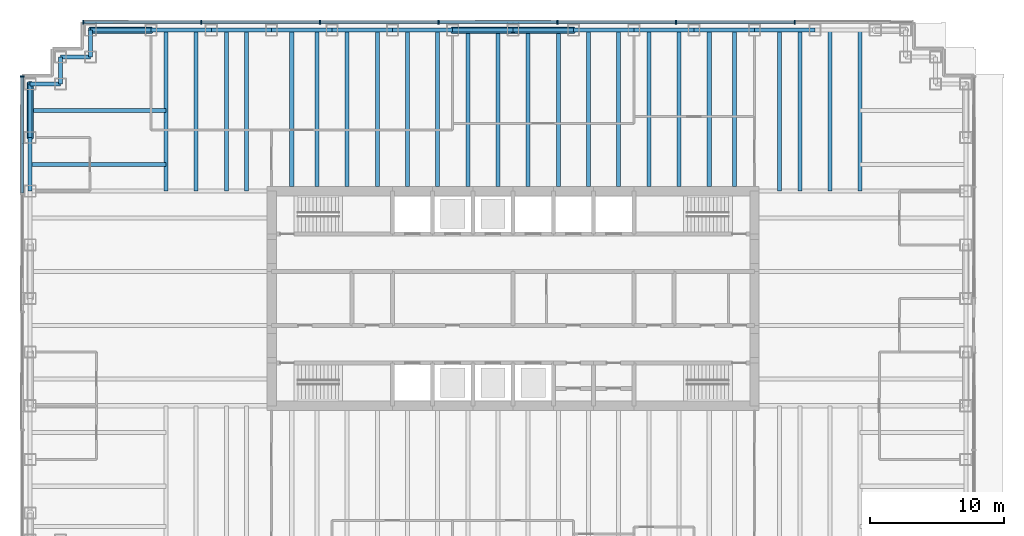
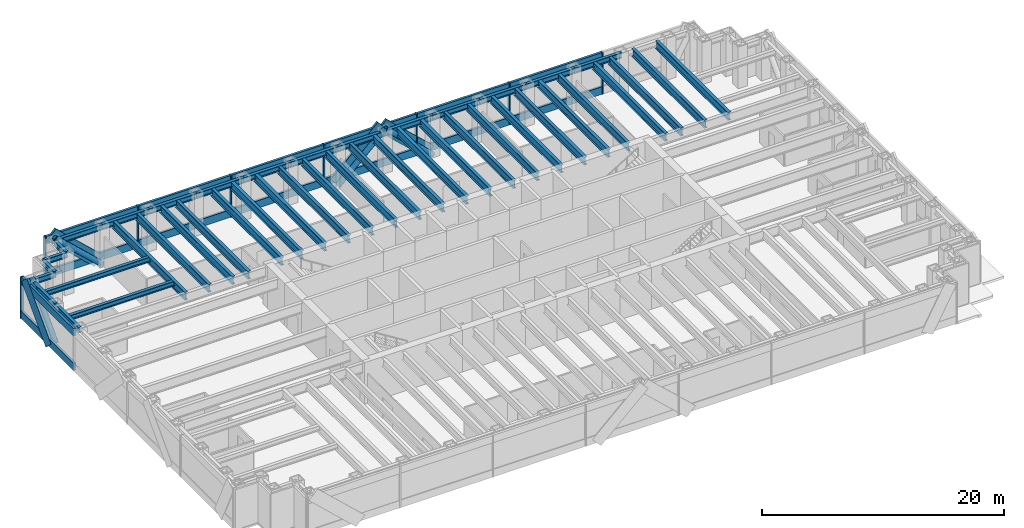
# One storey, part 4 of 12: 44 beams, 30 members, 2 elements without a shape of their own.
"""IFC4 building model written with IfcOpenShell, lengths in metres."""

import ifcopenshell
import ifcopenshell.guid

model = None  # the IFC model being written
_history = None  # IfcOwnerHistory: only IFC2X3 demands one
_inside = {}  # id of a spatial element -> (the spatial element, [elements in it])
_under = {}  # id of a project, library or spatial element -> (it, [spatial elements below it])
_declared = {}  # id of a project -> (the project, [libraries it declares])
_typed = {}  # id of a type object -> (the type object, [elements of that type])
_made_of = {}  # id of a material, layer set ... -> (it, [elements and type objects made of it])


def new_model(schema):
    """Start an empty IFC model of exactly this schema.

    Asked for "IFC4X3", IfcOpenShell would pick the latest addendum, in which some entities
    have other attributes; the version numbers below select the first issue.
    IFC2X3 requires an IfcOwnerHistory on every rooted entity: one is made here for all.
    """
    global model, _history
    if schema == "IFC4X3":
        model = ifcopenshell.file(schema_version=(4, 3, 0, 0))
    else:
        model = ifcopenshell.file(schema=schema)
    _inside.clear()
    _under.clear()
    _declared.clear()
    _typed.clear()
    _made_of.clear()
    _history = None
    if model.schema == "IFC2X3":
        org = make("IfcOrganization", Name="unknown")
        user = make(
            "IfcPersonAndOrganization",
            ThePerson=make("IfcPerson", FamilyName="unknown"),
            TheOrganization=org,
        )
        app = make(
            "IfcApplication",
            ApplicationDeveloper=org,
            Version="unknown",
            ApplicationFullName="unknown",
            ApplicationIdentifier="unknown",
        )
        _history = make(
            "IfcOwnerHistory",
            OwningUser=user,
            OwningApplication=app,
            ChangeAction="ADDED",
            CreationDate=0,
        )
    return model


def make(cls, **values):
    """One entity of the class cls with the attributes given. An attribute that is None is left unset."""
    return model.create_entity(
        cls, **{name: value for name, value in values.items() if value is not None}
    )


def rooted(cls, **values):
    """An entity with a GlobalId (a new one), such as an element, a storey or a relation."""
    return make(cls, GlobalId=ifcopenshell.guid.new(), OwnerHistory=_history, **values)


def si_unit(unit_type, name, prefix=None):
    """IfcSIUnit, for example si_unit("LENGTHUNIT", "METRE", prefix="MILLI")."""
    return make("IfcSIUnit", UnitType=unit_type, Prefix=prefix, Name=name)


def assignment(units):
    """IfcUnitAssignment: the units of a project."""
    return None if units is None else make("IfcUnitAssignment", Units=units)


def point(xyz):
    """IfcCartesianPoint."""
    return None if xyz is None else make("IfcCartesianPoint", Coordinates=xyz)


def direction(xyz):
    """IfcDirection."""
    return None if xyz is None else make("IfcDirection", DirectionRatios=xyz)


def frame(location, z_axis=None, x_axis=None):
    """IfcAxis2Placement3D, a coordinate frame: its origin and axes. An axis left out is left unset."""
    return make(
        "IfcAxis2Placement3D",
        Location=point(location),
        Axis=direction(z_axis),
        RefDirection=direction(x_axis),
    )


def frame_2d(location, x_axis=None):
    """IfcAxis2Placement2D, a coordinate frame in the plane: its origin and x axis."""
    return make(
        "IfcAxis2Placement2D", Location=point(location), RefDirection=direction(x_axis)
    )


def origin():
    """The frame at (0, 0, 0) with its axes left unset."""
    return frame((0.0, 0.0, 0.0))


def origin_2d():
    """The frame at (0, 0) in the plane with its x axis left unset."""
    return frame_2d((0.0, 0.0))


def place(relative_to, where):
    """IfcLocalPlacement: puts the frame where relative to a parent placement (None: the world)."""
    return make(
        "IfcLocalPlacement", PlacementRelTo=relative_to, RelativePlacement=where
    )


def context(
    kind, dimensions, precision=None, world=None, true_north=None, identifier=None
):
    """IfcGeometricRepresentationContext, for example the 3D "Model" context."""
    return make(
        "IfcGeometricRepresentationContext",
        ContextIdentifier=identifier,
        ContextType=kind,
        CoordinateSpaceDimension=dimensions,
        Precision=precision,
        WorldCoordinateSystem=world,
        TrueNorth=true_north,
    )


def subcontext(parent, identifier, kind, view, scale=None):
    """IfcGeometricRepresentationSubContext, for example "Body" below "Model"."""
    return make(
        "IfcGeometricRepresentationSubContext",
        ContextIdentifier=identifier,
        ContextType=kind,
        ParentContext=parent,
        TargetScale=scale,
        TargetView=view,
    )


def project(units=None, contexts=None):
    """IfcProject with its units and contexts."""
    return rooted(
        "IfcProject",
        Name="project",
        RepresentationContexts=contexts,
        UnitsInContext=assignment(units),
    )


def spatial(cls, under=None, at=None, **own):
    """A site, building, storey or space (cls), placed at a placement, below another one or the project."""
    s = rooted(cls, ObjectPlacement=at, **own)
    if under is not None:
        _under.setdefault(under.id(), (under, []))[1].append(s)
    return s


def profile(cls, at=None, kind="AREA", **sizes):
    """A parametric profile (cls). Its sizes go by their IFC names, for example OverallWidth=200.0."""
    return make(cls, ProfileType=kind, Position=at, **sizes)


def rectangle(**sizes):
    """IfcRectangleProfileDef."""
    return profile("IfcRectangleProfileDef", **sizes)


def hollow_circle(**sizes):
    """IfcCircleHollowProfileDef."""
    return profile("IfcCircleHollowProfileDef", **sizes)


def i_section(**sizes):
    """IfcIShapeProfileDef."""
    return profile("IfcIShapeProfileDef", **sizes)


def extrude(swept, where, along, depth):
    """IfcExtrudedAreaSolid: the profile swept, set in the frame where, extruded along a direction by depth."""
    return make(
        "IfcExtrudedAreaSolid",
        SweptArea=swept,
        Position=where,
        ExtrudedDirection=direction(along),
        Depth=depth,
    )


def shape(context_of_items, identifier, shape_type, items):
    """IfcShapeRepresentation: the items that make up one representation, for example the "Body"."""
    return make(
        "IfcShapeRepresentation",
        ContextOfItems=context_of_items,
        RepresentationIdentifier=identifier,
        RepresentationType=shape_type,
        Items=items,
    )


def material(Name=None, Category=None):
    """IfcMaterial."""
    return make("IfcMaterial", Name=Name, Category=Category)


def material_profile(
    of_material, cross_section, Name=None, Category=None, Priority=None
):
    """IfcMaterialProfile: a cross section and its material."""
    return make(
        "IfcMaterialProfile",
        Name=Name,
        Material=of_material,
        Profile=cross_section,
        Priority=Priority,
        Category=Category,
    )


def profile_set(profiles, Name=None, composite=None):
    """IfcMaterialProfileSet."""
    return make(
        "IfcMaterialProfileSet",
        Name=Name,
        MaterialProfiles=profiles,
        CompositeProfile=composite,
    )


def made_of(thing, what):
    """Note that an element or type object is made of a material, layer set ...; save() writes the relation."""
    if what is not None:
        _made_of.setdefault(what.id(), (what, []))[1].append(thing)
    return thing


def type_object(cls, material=None, **own):
    """A type object (cls), such as IfcWallType, which elements share."""
    return made_of(rooted(cls, **own), material)


def element(
    cls,
    number,
    at=None,
    inside=None,
    cuts=None,
    type_object=None,
    material=None,
    context=None,
    identifier="Body",
    shape_type=None,
    held_by="IfcProductDefinitionShape",
    body=None,
    shapes=None,
    **own,
):
    """One element of the class cls, such as IfcWall. Its Tag is "e" and its number.

    at: its placement. inside: the storey or other place that contains it. cuts: it is an
    opening in that element (IfcRelVoidsElement). A single representation is given by context,
    identifier, shape_type and body (its items); several are given by shapes. held_by: the class
    of the entity that holds the representations. save() writes the other relations.
    """
    e = rooted(cls, Tag="e%d" % number, ObjectPlacement=at, **own)
    if body is not None:
        shapes = [shape(context, identifier, shape_type, body)]
    if shapes is not None:
        e.Representation = make(held_by, Representations=shapes)
    if inside is not None:
        _inside.setdefault(inside.id(), (inside, []))[1].append(e)
    if cuts is not None:
        rooted(
            "IfcRelVoidsElement", RelatingBuildingElement=cuts, RelatedOpeningElement=e
        )
    if type_object is not None:
        _typed.setdefault(type_object.id(), (type_object, []))[1].append(e)
    return made_of(e, material)


def aggregate(whole, parts):
    """IfcRelAggregates: a whole, such as a stair, and the parts it consists of."""
    return rooted("IfcRelAggregates", RelatingObject=whole, RelatedObjects=parts)


def save(model, path):
    """Write the relations noted so far, then the file.

    IfcRelAggregates (storeys below a building ...), IfcRelContainedInSpatialStructure (elements
    in a storey), IfcRelDefinesByType, IfcRelAssociatesMaterial and IfcRelDeclares: one each for
    every whole, place, type object, material and project.
    """
    for whole, parts in _under.values():
        aggregate(whole, parts)
    for where, things in _inside.values():
        rooted(
            "IfcRelContainedInSpatialStructure",
            RelatedElements=things,
            RelatingStructure=where,
        )
    for kind, things in _typed.values():
        rooted("IfcRelDefinesByType", RelatedObjects=things, RelatingType=kind)
    for what, things in _made_of.values():
        rooted("IfcRelAssociatesMaterial", RelatedObjects=things, RelatingMaterial=what)
    for by, libraries in _declared.values():
        rooted("IfcRelDeclares", RelatingContext=by, RelatedDefinitions=libraries)
    model.write(path)


model = new_model("IFC4")

# Units and contexts
model_context = context("Model", 3, precision=1e-05, world=origin(), true_north=direction((0.0, 1.0)))
body_context = subcontext(model_context, "Body", "Model", "MODEL_VIEW")
ifc_project = project(units=[si_unit("LENGTHUNIT", "METRE"), si_unit("AREAUNIT", "SQUARE_METRE"), si_unit("VOLUMEUNIT", "CUBIC_METRE"), si_unit("PLANEANGLEUNIT", "RADIAN"), si_unit("MASSUNIT", "GRAM", prefix="KILO")], contexts=[model_context])

# Site, building, storey
site_placement = place(None, origin())
site = spatial("IfcSite", under=ifc_project, at=site_placement, CompositionType="ELEMENT")
building_placement = place(site_placement, origin())
building = spatial("IfcBuilding", under=site, at=building_placement, Name="Rheinbord Bourse Tower", CompositionType="ELEMENT")
storey_placement = place(building_placement, frame((0.0, 0.0, 271.10009765625)))
storey = spatial("IfcBuildingStorey", under=building, at=storey_placement, Name="L61", CompositionType="ELEMENT", Elevation=271.10009765625)

# Curtain wall, members
ifc_material_1 = material(Name="Dark glass and black aluminium", Category="aluminium")
curtain_wall_type = type_object("IfcCurtainWallType", Name="CW6 DARK GLASS CURTAIN WALL", PredefinedType="USERDEFINED", material=ifc_material_1)
curtain_wall_1_placement = place(storey_placement, origin())
curtain_wall_1 = element("IfcCurtainWall", 1, at=curtain_wall_1_placement, inside=storey, type_object=curtain_wall_type, Name="Curtain wall CW6 N L61", ObjectType="UNITISED CURTAIN WALL", PredefinedType="USERDEFINED")
ifc_material_2 = material(Name="Black anodised aluminium", Category="aluminium")
ifc_material_profile_1 = material_profile(ifc_material_2, rectangle(XDim=0.219970703125, YDim=1.2099609375, at=origin_2d()), Name="CW6 DIAGONAL MULLION 1210x220")
ifc_profile_set_1 = profile_set([ifc_material_profile_1], Name="Black anodised aluminium")
member_type_1 = type_object("IfcMemberType", Name="CW6 BLACK DIAGONAL MULLION", PredefinedType="USERDEFINED", material=ifc_profile_set_1)
member_1_placement = place(storey_placement, frame((31.5, 44.60009765625, 0.0), z_axis=(0.73105922506, 0.0, 0.682314010889), x_axis=(0.0, 1.0, 0.0)))
member_1 = element("IfcMember", 2, at=member_1_placement, type_object=member_type_1, Name="CW6 diagonal mullion a", ObjectType="DIAGONAL MULLION", PredefinedType="USERDEFINED", context=body_context, shape_type="SweptSolid", body=[
    extrude(rectangle(XDim=0.219970703125, YDim=1.2099609375, at=origin_2d()), origin(), (0.0, 0.0, 1.0), 6.155517578125),
])
member_2_placement = place(storey_placement, frame((40.5, 44.60009765625, 0.0), z_axis=(-0.73105922506, 0.0, 0.682314010889), x_axis=(0.0, -1.0, 0.0)))
member_2 = element("IfcMember", 3, at=member_2_placement, type_object=member_type_1, Name="CW6 diagonal mullion b", ObjectType="DIAGONAL MULLION", PredefinedType="USERDEFINED", context=body_context, shape_type="SweptSolid", body=[
    extrude(rectangle(XDim=0.219970703125, YDim=1.2099609375, at=origin_2d()), origin(), (0.0, 0.0, 1.0), 6.155517578125),
])
member_3_placement = place(storey_placement, frame((9.0, 44.60009765625, 0.0), z_axis=(-0.73105922506, 0.0, 0.682314010889), x_axis=(0.0, -1.0, 0.0)))
member_3 = element("IfcMember", 4, at=member_3_placement, type_object=member_type_1, Name="CW6 diagonal mullion d", ObjectType="DIAGONAL MULLION", PredefinedType="USERDEFINED", context=body_context, shape_type="SweptSolid", body=[
    extrude(rectangle(XDim=0.219970703125, YDim=1.2099609375, at=origin_2d()), origin(), (0.0, 0.0, 1.0), 6.155517578125),
])

# Curtain wall, member
curtain_wall_2_placement = place(storey_placement, origin())
curtain_wall_2 = element("IfcCurtainWall", 5, at=curtain_wall_2_placement, inside=storey, type_object=curtain_wall_type, Name="Curtain wall CW6 W L61", ObjectType="UNITISED CURTAIN WALL", PredefinedType="USERDEFINED")
member_4_placement = place(storey_placement, frame((-0.60009765625, 36.0, 0.0), z_axis=(0.0, 0.689659376744, 0.724133926887), x_axis=(-1.0, 0.0, 0.0)))
member_4 = element("IfcMember", 6, at=member_4_placement, type_object=member_type_1, Name="CW6 diagonal mullion a", ObjectType="DIAGONAL MULLION", PredefinedType="USERDEFINED", context=body_context, shape_type="SweptSolid", body=[
    extrude(rectangle(XDim=0.219970703125, YDim=1.2099609375, at=origin_2d()), origin(), (0.0, 0.0, 1.0), 5.800048828125),
])

# Member
ifc_material_3 = material(Name="Black anodised aluminium", Category="aluminium")
ifc_material_profile_2 = material_profile(ifc_material_3, rectangle(XDim=0.320068359375, YDim=0.10009765625, at=origin_2d()), Name="CW6 MULLION 100x320")
ifc_profile_set_2 = profile_set([ifc_material_profile_2], Name="Black anodised aluminium")
member_type_2 = type_object("IfcMemberType", Name="CW6 BLACK MULLION", PredefinedType="MULLION", material=ifc_profile_set_2)
member_5_placement = place(storey_placement, frame((57.0, 44.60009765625, 0.0), z_axis=(0.0, 0.0, 1.0), x_axis=(0.0, -1.0, 0.0)))
member_5 = element("IfcMember", 7, at=member_5_placement, type_object=member_type_2, Name="CW6 mullion 2", PredefinedType="MULLION", context=body_context, shape_type="SweptSolid", body=[
    extrude(rectangle(XDim=0.320068359375, YDim=0.10009765625, at=origin_2d()), origin(), (0.0, 0.0, 1.0), 4.199951171875),
])

member_6_placement = place(storey_placement, frame((48.14990234375, 44.60009765625, 0.0), z_axis=(0.0, 0.0, 1.0), x_axis=(0.0, -1.0, 0.0)))
member_6 = element("IfcMember", 8, at=member_6_placement, type_object=member_type_2, Name="CW6 mullion 3", PredefinedType="MULLION", context=body_context, shape_type="SweptSolid", body=[
    extrude(rectangle(XDim=0.320068359375, YDim=0.10009765625, at=origin_2d()), origin(), (0.0, 0.0, 1.0), 4.199951171875),
])

member_7_placement = place(storey_placement, frame((39.300048828125, 44.60009765625, 0.0), z_axis=(0.0, 0.0, 1.0), x_axis=(0.0, -1.0, 0.0)))
member_7 = element("IfcMember", 9, at=member_7_placement, type_object=member_type_2, Name="CW6 mullion 4", PredefinedType="MULLION", context=body_context, shape_type="SweptSolid", body=[
    extrude(rectangle(XDim=0.320068359375, YDim=0.10009765625, at=origin_2d()), origin(), (0.0, 0.0, 1.0), 4.199951171875),
])

member_8_placement = place(storey_placement, frame((30.449951171875, 44.60009765625, 0.0), z_axis=(0.0, 0.0, 1.0), x_axis=(0.0, -1.0, 0.0)))
member_8 = element("IfcMember", 10, at=member_8_placement, type_object=member_type_2, Name="CW6 mullion 5", PredefinedType="MULLION", context=body_context, shape_type="SweptSolid", body=[
    extrude(rectangle(XDim=0.320068359375, YDim=0.10009765625, at=origin_2d()), origin(), (0.0, 0.0, 1.0), 4.199951171875),
])

member_9_placement = place(storey_placement, frame((21.60009765625, 44.60009765625, 0.0), z_axis=(0.0, 0.0, 1.0), x_axis=(0.0, -1.0, 0.0)))
member_9 = element("IfcMember", 11, at=member_9_placement, type_object=member_type_2, Name="CW6 mullion 6", PredefinedType="MULLION", context=body_context, shape_type="SweptSolid", body=[
    extrude(rectangle(XDim=0.320068359375, YDim=0.10009765625, at=origin_2d()), origin(), (0.0, 0.0, 1.0), 4.199951171875),
])

member_10_placement = place(storey_placement, frame((12.75, 44.60009765625, 0.0), z_axis=(0.0, 0.0, 1.0), x_axis=(0.0, -1.0, 0.0)))
member_10 = element("IfcMember", 12, at=member_10_placement, type_object=member_type_2, Name="CW6 mullion 7", PredefinedType="MULLION", context=body_context, shape_type="SweptSolid", body=[
    extrude(rectangle(XDim=0.320068359375, YDim=0.10009765625, at=origin_2d()), origin(), (0.0, 0.0, 1.0), 4.199951171875),
])

member_11_placement = place(storey_placement, frame((3.949951171875, 44.60009765625, 0.0), z_axis=(0.0, 0.0, 1.0), x_axis=(0.0, -1.0, 0.0)))
member_11 = element("IfcMember", 13, at=member_11_placement, type_object=member_type_2, Name="CW6 mullion 8", PredefinedType="MULLION", context=body_context, shape_type="SweptSolid", body=[
    extrude(rectangle(XDim=0.320068359375, YDim=0.10009765625, at=origin_2d()), origin(), (0.0, 0.0, 1.0), 4.199951171875),
])

member_12_placement = place(storey_placement, frame((-0.60009765625, 40.550048828125, 0.0), z_axis=(0.0, 0.0, 1.0), x_axis=(1.0, 0.0, 0.0)))
member_12 = element("IfcMember", 14, at=member_12_placement, type_object=member_type_2, Name="CW6 mullion 1", PredefinedType="MULLION", context=body_context, shape_type="SweptSolid", body=[
    extrude(rectangle(XDim=0.320068359375, YDim=0.10009765625, at=origin_2d()), origin(), (0.0, 0.0, 1.0), 4.199951171875),
])

ifc_material_4 = material(Name="Black anodised aluminium", Category="aluminium")
ifc_material_profile_3 = material_profile(ifc_material_4, rectangle(XDim=0.219970703125, YDim=0.75, at=origin_2d()), Name="CW6 TRANSOM 750x220")
ifc_profile_set_3 = profile_set([ifc_material_profile_3], Name="Black anodised aluminium")
member_type_3 = type_object("IfcMemberType", Name="CW6 BLACK TRANSOM", PredefinedType="USERDEFINED", material=ifc_profile_set_3)
member_13_placement = place(storey_placement, frame((56.949951171875, 44.60009765625, 0.375), z_axis=(-1.0, 0.0, 0.0), x_axis=(0.0, -1.0, 0.0)))
member_13 = element("IfcMember", 15, at=member_13_placement, type_object=member_type_3, Name="CW6 transom 2.1", ObjectType="TRANSOM", PredefinedType="USERDEFINED", context=body_context, shape_type="SweptSolid", body=[
    extrude(rectangle(XDim=0.219970703125, YDim=0.75, at=origin_2d()), origin(), (0.0, 0.0, 1.0), 8.75),
])

member_14_placement = place(storey_placement, frame((56.949951171875, 44.60009765625, 3.824951171875), z_axis=(-1.0, 0.0, 0.0), x_axis=(0.0, -1.0, 0.0)))
member_14 = element("IfcMember", 16, at=member_14_placement, type_object=member_type_3, Name="CW6 transom 2.2", ObjectType="TRANSOM", PredefinedType="USERDEFINED", context=body_context, shape_type="SweptSolid", body=[
    extrude(rectangle(XDim=0.219970703125, YDim=0.75, at=origin_2d()), origin(), (0.0, 0.0, 1.0), 8.75),
])

member_15_placement = place(storey_placement, frame((48.10009765625, 44.60009765625, 0.375), z_axis=(-1.0, 0.0, 0.0), x_axis=(0.0, -1.0, 0.0)))
member_15 = element("IfcMember", 17, at=member_15_placement, type_object=member_type_3, Name="CW6 transom 3.1", ObjectType="TRANSOM", PredefinedType="USERDEFINED", context=body_context, shape_type="SweptSolid", body=[
    extrude(rectangle(XDim=0.219970703125, YDim=0.75, at=origin_2d()), origin(), (0.0, 0.0, 1.0), 8.75),
])

member_16_placement = place(storey_placement, frame((48.10009765625, 44.60009765625, 3.824951171875), z_axis=(-1.0, 0.0, 0.0), x_axis=(0.0, -1.0, 0.0)))
member_16 = element("IfcMember", 18, at=member_16_placement, type_object=member_type_3, Name="CW6 transom 3.2", ObjectType="TRANSOM", PredefinedType="USERDEFINED", context=body_context, shape_type="SweptSolid", body=[
    extrude(rectangle(XDim=0.219970703125, YDim=0.75, at=origin_2d()), origin(), (0.0, 0.0, 1.0), 8.75),
])

member_17_placement = place(storey_placement, frame((39.25, 44.60009765625, 0.375), z_axis=(-1.0, 0.0, 0.0), x_axis=(0.0, -1.0, 0.0)))
member_17 = element("IfcMember", 19, at=member_17_placement, type_object=member_type_3, Name="CW6 transom 4.1", ObjectType="TRANSOM", PredefinedType="USERDEFINED", context=body_context, shape_type="SweptSolid", body=[
    extrude(rectangle(XDim=0.219970703125, YDim=0.75, at=origin_2d()), origin(), (0.0, 0.0, 1.0), 8.75),
])

member_18_placement = place(storey_placement, frame((39.25, 44.60009765625, 3.824951171875), z_axis=(-1.0, 0.0, 0.0), x_axis=(0.0, -1.0, 0.0)))
member_18 = element("IfcMember", 20, at=member_18_placement, type_object=member_type_3, Name="CW6 transom 4.2", ObjectType="TRANSOM", PredefinedType="USERDEFINED", context=body_context, shape_type="SweptSolid", body=[
    extrude(rectangle(XDim=0.219970703125, YDim=0.75, at=origin_2d()), origin(), (0.0, 0.0, 1.0), 8.75),
])

member_19_placement = place(storey_placement, frame((30.39990234375, 44.60009765625, 0.375), z_axis=(-1.0, 0.0, 0.0), x_axis=(0.0, -1.0, 0.0)))
member_19 = element("IfcMember", 21, at=member_19_placement, type_object=member_type_3, Name="CW6 transom 5.1", ObjectType="TRANSOM", PredefinedType="USERDEFINED", context=body_context, shape_type="SweptSolid", body=[
    extrude(rectangle(XDim=0.219970703125, YDim=0.75, at=origin_2d()), origin(), (0.0, 0.0, 1.0), 8.75),
])

member_20_placement = place(storey_placement, frame((30.39990234375, 44.60009765625, 3.824951171875), z_axis=(-1.0, 0.0, 0.0), x_axis=(0.0, -1.0, 0.0)))
member_20 = element("IfcMember", 22, at=member_20_placement, type_object=member_type_3, Name="CW6 transom 5.2", ObjectType="TRANSOM", PredefinedType="USERDEFINED", context=body_context, shape_type="SweptSolid", body=[
    extrude(rectangle(XDim=0.219970703125, YDim=0.75, at=origin_2d()), origin(), (0.0, 0.0, 1.0), 8.75),
])

member_21_placement = place(storey_placement, frame((21.550048828125, 44.60009765625, 0.375), z_axis=(-1.0, 0.0, 0.0), x_axis=(0.0, -1.0, 0.0)))
member_21 = element("IfcMember", 23, at=member_21_placement, type_object=member_type_3, Name="CW6 transom 6.1", ObjectType="TRANSOM", PredefinedType="USERDEFINED", context=body_context, shape_type="SweptSolid", body=[
    extrude(rectangle(XDim=0.219970703125, YDim=0.75, at=origin_2d()), origin(), (0.0, 0.0, 1.0), 8.75),
])

member_22_placement = place(storey_placement, frame((21.550048828125, 44.60009765625, 3.824951171875), z_axis=(-1.0, 0.0, 0.0), x_axis=(0.0, -1.0, 0.0)))
member_22 = element("IfcMember", 24, at=member_22_placement, type_object=member_type_3, Name="CW6 transom 6.2", ObjectType="TRANSOM", PredefinedType="USERDEFINED", context=body_context, shape_type="SweptSolid", body=[
    extrude(rectangle(XDim=0.219970703125, YDim=0.75, at=origin_2d()), origin(), (0.0, 0.0, 1.0), 8.75),
])

member_23_placement = place(storey_placement, frame((12.699951171875, 44.60009765625, 0.375), z_axis=(-1.0, 0.0, 0.0), x_axis=(0.0, -1.0, 0.0)))
member_23 = element("IfcMember", 25, at=member_23_placement, type_object=member_type_3, Name="CW6 transom 7.1", ObjectType="TRANSOM", PredefinedType="USERDEFINED", context=body_context, shape_type="SweptSolid", body=[
    extrude(rectangle(XDim=0.219970703125, YDim=0.75, at=origin_2d()), origin(), (0.0, 0.0, 1.0), 8.699951171875),
])

member_24_placement = place(storey_placement, frame((12.699951171875, 44.60009765625, 3.824951171875), z_axis=(-1.0, 0.0, 0.0), x_axis=(0.0, -1.0, 0.0)))
member_24 = element("IfcMember", 26, at=member_24_placement, type_object=member_type_3, Name="CW6 transom 7.2", ObjectType="TRANSOM", PredefinedType="USERDEFINED", context=body_context, shape_type="SweptSolid", body=[
    extrude(rectangle(XDim=0.219970703125, YDim=0.75, at=origin_2d()), origin(), (0.0, 0.0, 1.0), 8.699951171875),
])

aggregate(curtain_wall_1, [member_5, member_6, member_7, member_8, member_9, member_10, member_11, member_13, member_14, member_15, member_16, member_17, member_18, member_19, member_20, member_21, member_22, member_23, member_24, member_1, member_2, member_3])

member_25_placement = place(storey_placement, frame((-0.60009765625, 40.5, 0.375), z_axis=(0.0, -1.0, 0.0), x_axis=(1.0, 0.0, 0.0)))
member_25 = element("IfcMember", 27, at=member_25_placement, type_object=member_type_3, Name="CW6 transom 1.1", ObjectType="TRANSOM", PredefinedType="USERDEFINED", context=body_context, shape_type="SweptSolid", body=[
    extrude(rectangle(XDim=0.219970703125, YDim=0.75, at=origin_2d()), origin(), (0.0, 0.0, 1.0), 8.64990234375),
])

member_26_placement = place(storey_placement, frame((-0.60009765625, 40.5, 3.824951171875), z_axis=(0.0, -1.0, 0.0), x_axis=(1.0, 0.0, 0.0)))
member_26 = element("IfcMember", 28, at=member_26_placement, type_object=member_type_3, Name="CW6 transom 1.2", ObjectType="TRANSOM", PredefinedType="USERDEFINED", context=body_context, shape_type="SweptSolid", body=[
    extrude(rectangle(XDim=0.219970703125, YDim=0.75, at=origin_2d()), origin(), (0.0, 0.0, 1.0), 8.64990234375),
])

aggregate(curtain_wall_2, [member_12, member_25, member_26, member_4])

# Beams
ifc_material_5 = material(Name="Steel S460", Category="steel")
ifc_material_profile_4 = material_profile(ifc_material_5, i_section(OverallWidth=0.300048828125, OverallDepth=0.800048828125, WebThickness=0.017578125, FlangeThickness=0.032958984375, at=origin_2d()), Name="HEB 800")
ifc_profile_set_4 = profile_set([ifc_material_profile_4], Name="Steel S460")
beam_type_1 = type_object("IfcBeamType", Name="FLOOR BEAM HEB 800", PredefinedType="BEAM", material=ifc_profile_set_4)
for number, where, z_axis, x_axis, name in (
    (29, (10.125, 44.0, 3.639892578125), (0.0, -1.0, 0.0), (1.0, 0.0, 0.0), "Floor beam N-9a L62"),
    (30, (12.375, 44.0, 3.639892578125), (0.0, -1.0, 0.0), (1.0, 0.0, 0.0), "Floor beam N-9b L62"),
    (31, (14.625, 44.0, 3.639892578125), (0.0, -1.0, 0.0), (1.0, 0.0, 0.0), "Floor beam N-13.5a L62"),
    (32, (16.125, 44.0, 3.639892578125), (0.0, -1.0, 0.0), (1.0, 0.0, 0.0), "Floor beam N-13.5b L62"),
):
    element("IfcBeam", number, at=place(storey_placement, frame(where, z_axis=z_axis, x_axis=x_axis)), inside=storey, type_object=beam_type_1, Name=name, PredefinedType="BEAM", context=body_context, shape_type="SweptSolid", body=[
        extrude(i_section(OverallWidth=0.300048828125, OverallDepth=0.800048828125, WebThickness=0.017578125, FlangeThickness=0.032958984375, at=origin_2d()), origin(), (0.0, 0.0, 1.0), 12.0),
    ])
for number, where, z_axis, x_axis, name in (
    (33, (19.5, 44.0, 3.639892578125), (0.0, -1.0, 0.0), (1.0, 0.0, 0.0), "Floor beam N-18a L62"),
    (34, (21.375, 44.0, 3.639892578125), (0.0, -1.0, 0.0), (1.0, 0.0, 0.0), "Floor beam N-18b L62"),
    (35, (23.625, 44.0, 3.639892578125), (0.0, -1.0, 0.0), (1.0, 0.0, 0.0), "Floor beam N-22.5a L62"),
    (36, (25.875, 44.0, 3.639892578125), (0.0, -1.0, 0.0), (1.0, 0.0, 0.0), "Floor beam N-22.5b L62"),
    (37, (28.125, 44.0, 3.639892578125), (0.0, -1.0, 0.0), (1.0, 0.0, 0.0), "Floor beam N-27a L62"),
    (38, (30.375, 44.0, 3.639892578125), (0.0, -1.0, 0.0), (1.0, 0.0, 0.0), "Floor beam N-27b L62"),
    (39, (32.625, 44.0, 3.639892578125), (0.0, -1.0, 0.0), (1.0, 0.0, 0.0), "Floor beam N-31.5a L62"),
    (40, (34.875, 44.0, 3.639892578125), (0.0, -1.0, 0.0), (1.0, 0.0, 0.0), "Floor beam N-31.5b L62"),
    (41, (37.125, 44.0, 3.639892578125), (0.0, -1.0, 0.0), (1.0, 0.0, 0.0), "Floor beam N-36a L62"),
    (42, (39.375, 44.0, 3.639892578125), (0.0, -1.0, 0.0), (1.0, 0.0, 0.0), "Floor beam N-36b L62"),
    (43, (41.625, 44.0, 3.639892578125), (0.0, -1.0, 0.0), (1.0, 0.0, 0.0), "Floor beam N-40.5a L62"),
    (44, (43.875, 44.0, 3.639892578125), (0.0, -1.0, 0.0), (1.0, 0.0, 0.0), "Floor beam N-40.5b L62"),
    (45, (46.125, 44.0, 3.639892578125), (0.0, -1.0, 0.0), (1.0, 0.0, 0.0), "Floor beam N-45a L62"),
    (46, (48.375, 44.0, 3.639892578125), (0.0, -1.0, 0.0), (1.0, 0.0, 0.0), "Floor beam N-45b L62"),
    (47, (50.625, 44.0, 3.639892578125), (0.0, -1.0, 0.0), (1.0, 0.0, 0.0), "Floor beam N-49.5a L62"),
    (48, (52.5, 44.0, 3.639892578125), (0.0, -1.0, 0.0), (1.0, 0.0, 0.0), "Floor beam N-49.5b L62"),
):
    element("IfcBeam", number, at=place(storey_placement, frame(where, z_axis=z_axis, x_axis=x_axis)), inside=storey, type_object=beam_type_1, Name=name, PredefinedType="BEAM", context=body_context, shape_type="SweptSolid", body=[
        extrude(i_section(OverallWidth=0.300048828125, OverallDepth=0.800048828125, WebThickness=0.017578125, FlangeThickness=0.032958984375, at=origin_2d()), origin(), (0.0, 0.0, 1.0), 11.64990234375),
    ])
for number, where, z_axis, x_axis, name in (
    (49, (55.875, 44.0, 3.639892578125), (0.0, -1.0, 0.0), (1.0, 0.0, 0.0), "Floor beam N-54a L62"),
    (50, (57.375, 44.0, 3.639892578125), (0.0, -1.0, 0.0), (1.0, 0.0, 0.0), "Floor beam N-54b L62"),
    (51, (59.625, 44.0, 3.639892578125), (0.0, -1.0, 0.0), (1.0, 0.0, 0.0), "Floor beam N-58.5a L62"),
    (52, (61.875, 44.0, 3.639892578125), (0.0, -1.0, 0.0), (1.0, 0.0, 0.0), "Floor beam N-58.5b L62"),
):
    element("IfcBeam", number, at=place(storey_placement, frame(where, z_axis=z_axis, x_axis=x_axis)), inside=storey, type_object=beam_type_1, Name=name, PredefinedType="BEAM", context=body_context, shape_type="SweptSolid", body=[
        extrude(i_section(OverallWidth=0.300048828125, OverallDepth=0.800048828125, WebThickness=0.017578125, FlangeThickness=0.032958984375, at=origin_2d()), origin(), (0.0, 0.0, 1.0), 12.0),
    ])

# Members
ifc_material_6 = material(Name="Steel S460", Category="steel")
ifc_material_profile_5 = material_profile(ifc_material_6, hollow_circle(Radius=0.25390625, WallThickness=0.030029296875, at=origin_2d()), Name="CHS 508x30")
ifc_profile_set_5 = profile_set([ifc_material_profile_5], Name="Steel S460")
member_type_4 = type_object("IfcMemberType", Name="MEGABRACE CHS 508x30", PredefinedType="BRACE", material=ifc_profile_set_5)
for number, where, z_axis, x_axis, name in (
    (53, (31.5, 44.0, 0.0), (0.73105922506, 0.0, 0.682314010889), (0.0, 1.0, 0.0), "Megabrace N face line a L61"),
    (54, (40.5, 44.0, 0.0), (-0.73105922506, 0.0, 0.682314010889), (0.0, -1.0, 0.0), "Megabrace N face line b L61"),
    (55, (9.0, 44.0, 0.0), (-0.73105922506, 0.0, 0.682314010889), (0.0, -1.0, 0.0), "Megabrace N face line d L61"),
):
    element("IfcMember", number, at=place(storey_placement, frame(where, z_axis=z_axis, x_axis=x_axis)), inside=storey, type_object=member_type_4, Name=name, PredefinedType="BRACE", context=body_context, shape_type="SweptSolid", body=[
        extrude(hollow_circle(Radius=0.25390625, WallThickness=0.030029296875, at=origin_2d()), origin(), (0.0, 0.0, 1.0), 6.155517578125),
    ])
member_27_placement = place(storey_placement, frame((0.0, 36.0, 0.0), z_axis=(0.0, 0.689659376744, 0.724133926887), x_axis=(-1.0, 0.0, 0.0)))
element("IfcMember", 56, at=member_27_placement, inside=storey, type_object=member_type_4, Name="Megabrace W face line a L61", PredefinedType="BRACE", context=body_context, shape_type="SweptSolid", body=[
    extrude(hollow_circle(Radius=0.25390625, WallThickness=0.030029296875, at=origin_2d()), origin(), (0.0, 0.0, 1.0), 5.800048828125),
])

# Beams
ifc_material_7 = material(Name="Steel S460", Category="steel")
ifc_material_profile_6 = material_profile(ifc_material_7, i_section(OverallWidth=0.300048828125, OverallDepth=0.550048828125, WebThickness=0.014892578125, FlangeThickness=0.029052734375, at=origin_2d()), Name="HEB 550")
ifc_profile_set_6 = profile_set([ifc_material_profile_6], Name="Steel S460")
beam_type_2 = type_object("IfcBeamType", Name="SPANDREL HEB 550", PredefinedType="SPANDREL", material=ifc_profile_set_6)
for number, where, z_axis, x_axis, name in (
    (57, (58.5, 44.0, 3.764892578125), (-1.0, 0.0, 0.0), (0.0, -1.0, 0.0), "Spandrel N-58.5-N-54 under L62"),
    (58, (54.0, 44.0, 3.764892578125), (-1.0, 0.0, 0.0), (0.0, -1.0, 0.0), "Spandrel N-54-N-49.5 under L62"),
    (59, (49.5, 44.0, 3.764892578125), (-1.0, 0.0, 0.0), (0.0, -1.0, 0.0), "Spandrel N-49.5-N-45 under L62"),
    (60, (45.0, 44.0, 3.764892578125), (-1.0, 0.0, 0.0), (0.0, -1.0, 0.0), "Spandrel N-45-N-40.5 under L62"),
    (61, (40.5, 44.0, 3.764892578125), (-1.0, 0.0, 0.0), (0.0, -1.0, 0.0), "Spandrel N-40.5-N-36 under L62"),
    (62, (36.0, 44.0, 3.764892578125), (-1.0, 0.0, 0.0), (0.0, -1.0, 0.0), "Spandrel N-36-N-31.5 under L62"),
    (63, (31.5, 44.0, 3.764892578125), (-1.0, 0.0, 0.0), (0.0, -1.0, 0.0), "Spandrel N-31.5-N-27 under L62"),
    (64, (27.0, 44.0, 3.764892578125), (-1.0, 0.0, 0.0), (0.0, -1.0, 0.0), "Spandrel N-27-N-22.5 under L62"),
    (65, (22.5, 44.0, 3.764892578125), (-1.0, 0.0, 0.0), (0.0, -1.0, 0.0), "Spandrel N-22.5-N-18 under L62"),
    (66, (18.0, 44.0, 3.764892578125), (-1.0, 0.0, 0.0), (0.0, -1.0, 0.0), "Spandrel N-18-N-13.5 under L62"),
    (67, (13.5, 44.0, 3.764892578125), (-1.0, 0.0, 0.0), (0.0, -1.0, 0.0), "Spandrel N-13.5-N-9 under L62"),
    (68, (9.0, 44.0, 3.764892578125), (-1.0, 0.0, 0.0), (0.0, -1.0, 0.0), "Spandrel N-9-NW-E under L62"),
):
    element("IfcBeam", number, at=place(storey_placement, frame(where, z_axis=z_axis, x_axis=x_axis)), inside=storey, type_object=beam_type_2, Name=name, PredefinedType="SPANDREL", context=body_context, shape_type="SweptSolid", body=[
        extrude(i_section(OverallWidth=0.300048828125, OverallDepth=0.550048828125, WebThickness=0.014892578125, FlangeThickness=0.029052734375, at=origin_2d()), origin(), (0.0, 0.0, 1.0), 4.5),
    ])
beam_1_placement = place(storey_placement, frame((4.5, 44.0, 3.764892578125), z_axis=(0.0, -1.0, 0.0), x_axis=(1.0, 0.0, 0.0)))
element("IfcBeam", 69, at=beam_1_placement, inside=storey, type_object=beam_type_2, Name="Spandrel NW-E-NW-D under L62", PredefinedType="SPANDREL", context=body_context, shape_type="SweptSolid", body=[
    extrude(i_section(OverallWidth=0.300048828125, OverallDepth=0.550048828125, WebThickness=0.014892578125, FlangeThickness=0.029052734375, at=origin_2d()), origin(), (0.0, 0.0, 1.0), 2.0),
])
beam_2_placement = place(storey_placement, frame((4.5, 42.0, 3.764892578125), z_axis=(-1.0, 0.0, 0.0), x_axis=(0.0, -1.0, 0.0)))
element("IfcBeam", 70, at=beam_2_placement, inside=storey, type_object=beam_type_2, Name="Spandrel NW-D-NW-C under L62", PredefinedType="SPANDREL", context=body_context, shape_type="SweptSolid", body=[
    extrude(i_section(OverallWidth=0.300048828125, OverallDepth=0.550048828125, WebThickness=0.014892578125, FlangeThickness=0.029052734375, at=origin_2d()), origin(), (0.0, 0.0, 1.0), 2.25),
])
beam_3_placement = place(storey_placement, frame((2.25, 42.0, 3.764892578125), z_axis=(0.0, -1.0, 0.0), x_axis=(1.0, 0.0, 0.0)))
element("IfcBeam", 71, at=beam_3_placement, inside=storey, type_object=beam_type_2, Name="Spandrel NW-C-NW-B under L62", PredefinedType="SPANDREL", context=body_context, shape_type="SweptSolid", body=[
    extrude(i_section(OverallWidth=0.300048828125, OverallDepth=0.550048828125, WebThickness=0.014892578125, FlangeThickness=0.029052734375, at=origin_2d()), origin(), (0.0, 0.0, 1.0), 2.0),
])
beam_4_placement = place(storey_placement, frame((2.25, 40.0, 3.764892578125), z_axis=(-1.0, 0.0, 0.0), x_axis=(0.0, -1.0, 0.0)))
element("IfcBeam", 72, at=beam_4_placement, inside=storey, type_object=beam_type_2, Name="Spandrel NW-B-NW-A under L62", PredefinedType="SPANDREL", context=body_context, shape_type="SweptSolid", body=[
    extrude(i_section(OverallWidth=0.300048828125, OverallDepth=0.550048828125, WebThickness=0.014892578125, FlangeThickness=0.029052734375, at=origin_2d()), origin(), (0.0, 0.0, 1.0), 2.25),
])
for number, where, z_axis, x_axis, name in (
    (73, (0.0, 40.0, 3.764892578125), (0.0, -1.0, 0.0), (1.0, 0.0, 0.0), "Spandrel NW-A-W-36 under L62"),
    (74, (0.0, 36.0, 3.764892578125), (0.0, -1.0, 0.0), (1.0, 0.0, 0.0), "Spandrel W-36-W-32 under L62"),
):
    element("IfcBeam", number, at=place(storey_placement, frame(where, z_axis=z_axis, x_axis=x_axis)), inside=storey, type_object=beam_type_2, Name=name, PredefinedType="SPANDREL", context=body_context, shape_type="SweptSolid", body=[
        extrude(i_section(OverallWidth=0.300048828125, OverallDepth=0.550048828125, WebThickness=0.014892578125, FlangeThickness=0.029052734375, at=origin_2d()), origin(), (0.0, 0.0, 1.0), 4.0),
    ])
ifc_material_8 = material(Name="Steel S460", Category="steel")
ifc_material_profile_7 = material_profile(ifc_material_8, i_section(OverallWidth=0.300048828125, OverallDepth=0.5, WebThickness=0.014404296875, FlangeThickness=0.028076171875, at=origin_2d()), Name="HEB 500")
ifc_profile_set_7 = profile_set([ifc_material_profile_7], Name="Steel S460")
beam_type_3 = type_object("IfcBeamType", Name="TIE BEAM HEB 500", PredefinedType="JOIST", material=ifc_profile_set_7)
for number, where, z_axis, x_axis, name in (
    (75, (0.0, 34.0, 3.789794921875), (1.0, 0.0, 0.0), (0.0, 1.0, 0.0), "Tie west 34 L62"),
    (76, (0.0, 38.0, 3.789794921875), (1.0, 0.0, 0.0), (0.0, 1.0, 0.0), "Tie west 38 L62"),
):
    element("IfcBeam", number, at=place(storey_placement, frame(where, z_axis=z_axis, x_axis=x_axis)), inside=storey, type_object=beam_type_3, Name=name, PredefinedType="JOIST", context=body_context, shape_type="SweptSolid", body=[
        extrude(i_section(OverallWidth=0.300048828125, OverallDepth=0.5, WebThickness=0.014404296875, FlangeThickness=0.028076171875, at=origin_2d()), origin(), (0.0, 0.0, 1.0), 10.125),
    ])

save(model, "model.ifc")
